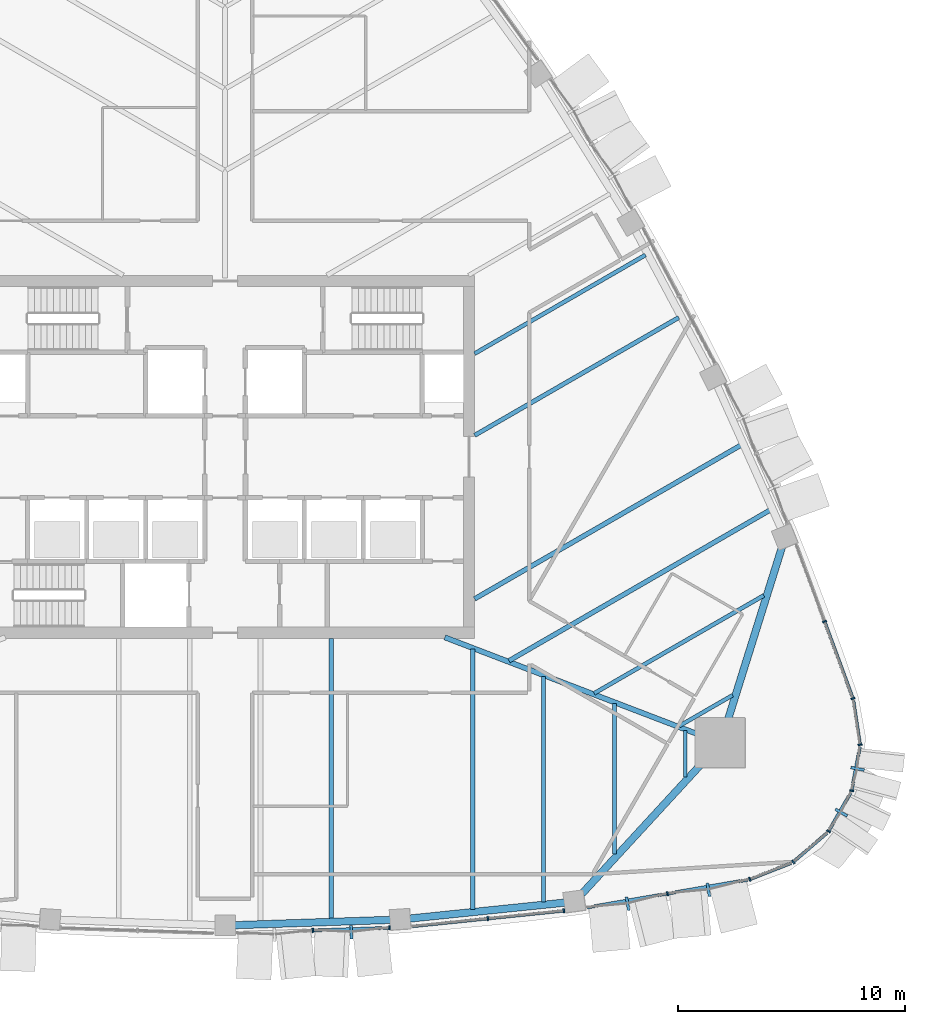
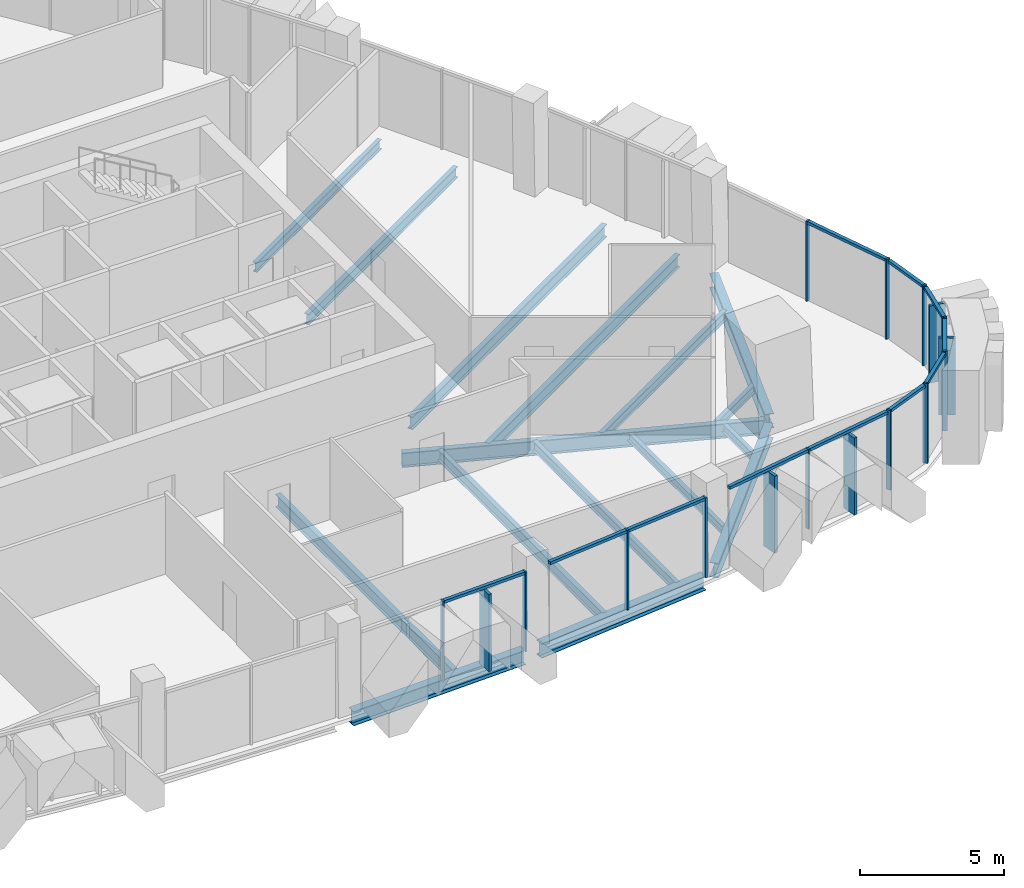
# One storey, part 4 of 18: 28 members, 16 beams, 9 elements without a shape of their own.
"""IFC4 building model written with IfcOpenShell, lengths in metres."""

from ifc_helpers import new_model, si_unit, direction, frame, origin, origin_2d, place, context, subcontext, project, spatial, rectangle, i_section, extrude, material, layer, layer_set, material_profile, profile_set, type_object, element, aggregate, save


model = new_model("IFC4")

# Units and contexts
model_context = context("Model", 3, precision=1e-05, world=origin(), true_north=direction((0.0, 1.0)))
body_context = subcontext(model_context, "Body", "Model", "MODEL_VIEW")
ifc_project = project(units=[si_unit("LENGTHUNIT", "METRE"), si_unit("AREAUNIT", "SQUARE_METRE"), si_unit("VOLUMEUNIT", "CUBIC_METRE"), si_unit("PLANEANGLEUNIT", "RADIAN"), si_unit("MASSUNIT", "GRAM", prefix="KILO")], contexts=[model_context])

# Site, building, storey
site_placement = place(None, origin())
site = spatial("IfcSite", under=ifc_project, at=site_placement, CompositionType="ELEMENT")
building_placement = place(site_placement, origin())
building = spatial("IfcBuilding", under=site, at=building_placement, Name="Sierra Prisma Convention Tower", CompositionType="ELEMENT")
storey_placement = place(building_placement, frame((0.0, 0.0, 247.0)))
storey = spatial("IfcBuildingStorey", under=building, at=storey_placement, Name="L55", CompositionType="ELEMENT", Elevation=247.0)

# Curtain wall, member
ifc_material_1 = material(Name="Aluminium and glass curtain wall", Category="aluminium")
ifc_layer_1 = layer(ifc_material_1, 0.179931640625)
ifc_layer_set_1 = layer_set([ifc_layer_1], Name="CW-2 Faceted crystal curtain wall")
curtain_wall_type_1 = type_object("IfcCurtainWallType", Name="CW-2 Faceted crystal curtain wall", PredefinedType="NOTDEFINED", material=ifc_layer_set_1)
curtain_wall_1_placement = place(storey_placement, origin())
curtain_wall_1 = element("IfcCurtainWall", 1, at=curtain_wall_1_placement, inside=storey, type_object=curtain_wall_type_1, Name="CW-2 S4 L55", PredefinedType="NOTDEFINED")
ifc_material_2 = material(Name="Aluminium 6063-T6 bronze anodised", Category="aluminium")
ifc_material_profile_1 = material_profile(ifc_material_2, rectangle(XDim=0.1201171875, YDim=0.60009765625, at=origin_2d()), Name="ALU RIDGE BLADE 120x600")
ifc_profile_set_1 = profile_set([ifc_material_profile_1], Name="Aluminium 6063-T6 bronze anodised")
member_type_1 = type_object("IfcMemberType", Name="CW hip bronze", PredefinedType="MULLION", material=ifc_profile_set_1)
member_1_placement = place(storey_placement, frame((5.5634765625, -20.950439453125, 0.0), z_axis=(0.0, 0.0, 1.0), x_axis=(0.999416362633, 0.034160417179, 0.0)))
member_1 = element("IfcMember", 2, at=member_1_placement, type_object=member_type_1, Name="CW-2 ridge S4.2", PredefinedType="MULLION", context=body_context, shape_type="SweptSolid", body=[
    extrude(rectangle(XDim=0.1201171875, YDim=0.60009765625, at=origin_2d()), origin(), (0.0, 0.0, 1.0), 3.280029296875),
])

# Curtain wall, members
curtain_wall_2_placement = place(storey_placement, origin())
curtain_wall_2 = element("IfcCurtainWall", 3, at=curtain_wall_2_placement, inside=storey, type_object=curtain_wall_type_1, Name="CW-2 S6 L55", PredefinedType="NOTDEFINED")
member_2_placement = place(storey_placement, frame((17.7421875, -19.69970703125, 0.0), z_axis=(0.0, 0.0, 1.0), x_axis=(0.985443101257, 0.170005571044, 0.0)))
member_2 = element("IfcMember", 4, at=member_2_placement, type_object=member_type_1, Name="CW-2 ridge S6.1", PredefinedType="MULLION", context=body_context, shape_type="SweptSolid", body=[
    extrude(rectangle(XDim=0.1201171875, YDim=0.60009765625, at=origin_2d()), origin(), (0.0, 0.0, 1.0), 3.280029296875),
])
member_3_placement = place(storey_placement, frame((21.3056640625, -19.0849609375, 0.0), z_axis=(0.0, 0.0, 1.0), x_axis=(0.985443101257, 0.170005571044, 0.0)))
member_3 = element("IfcMember", 5, at=member_3_placement, type_object=member_type_1, Name="CW-2 ridge S6.2", PredefinedType="MULLION", context=body_context, shape_type="SweptSolid", body=[
    extrude(rectangle(XDim=0.1201171875, YDim=0.60009765625, at=origin_2d()), origin(), (0.0, 0.0, 1.0), 3.280029296875),
])

# Curtain wall, member
curtain_wall_3_placement = place(storey_placement, origin())
curtain_wall_3 = element("IfcCurtainWall", 6, at=curtain_wall_3_placement, inside=storey, type_object=curtain_wall_type_1, Name="CW-2 SE3 L55", PredefinedType="NOTDEFINED")
member_4_placement = place(storey_placement, frame((27.162353515625, -15.68212890625, 0.0), z_axis=(0.0, 0.0, 1.0), x_axis=(0.5, 0.866025403784, 0.0)))
member_4 = element("IfcMember", 7, at=member_4_placement, type_object=member_type_1, Name="CW-2 ridge SE3.1", PredefinedType="MULLION", context=body_context, shape_type="SweptSolid", body=[
    extrude(rectangle(XDim=0.1201171875, YDim=0.60009765625, at=origin_2d()), origin(), (0.0, 0.0, 1.0), 3.280029296875),
])

curtain_wall_4_placement = place(storey_placement, origin())
curtain_wall_4 = element("IfcCurtainWall", 8, at=curtain_wall_4_placement, inside=storey, type_object=curtain_wall_type_1, Name="CW-2 SE4 L55", PredefinedType="NOTDEFINED")
member_5_placement = place(storey_placement, frame((27.8779296875, -13.75244140625, 0.0), z_axis=(0.0, 0.0, 1.0), x_axis=(0.185637608513, 0.982618277006, 0.0)))
member_5 = element("IfcMember", 9, at=member_5_placement, type_object=member_type_1, Name="CW-2 ridge SE4.1", PredefinedType="MULLION", context=body_context, shape_type="SweptSolid", body=[
    extrude(rectangle(XDim=0.1201171875, YDim=0.60009765625, at=origin_2d()), origin(), (0.0, 0.0, 1.0), 3.280029296875),
])

# Member
ifc_material_3 = material(Name="Aluminium 6063-T6 bronze anodised", Category="aluminium")
ifc_material_profile_2 = material_profile(ifc_material_3, rectangle(XDim=0.179931640625, YDim=0.070068359375, at=origin_2d()), Name="ALU MULLION 70x180")
ifc_profile_set_2 = profile_set([ifc_material_profile_2], Name="Aluminium 6063-T6 bronze anodised")
member_type_2 = type_object("IfcMemberType", Name="CW mullion bronze", PredefinedType="MULLION", material=ifc_profile_set_2)
member_6_placement = place(storey_placement, frame((3.86767578125, -20.877685546875, 0.0), z_axis=(0.0, 0.0, 1.0), x_axis=(-0.034160417179, 0.999416362633, 0.0)))
member_6 = element("IfcMember", 10, at=member_6_placement, type_object=member_type_2, Name="CW-1 mullion S4.2", PredefinedType="MULLION", context=body_context, shape_type="SweptSolid", body=[
    extrude(rectangle(XDim=0.179931640625, YDim=0.070068359375, at=origin_2d()), origin(), (0.0, 0.0, 1.0), 3.39990234375),
])

member_7_placement = place(storey_placement, frame((7.25048828125, -20.76220703125, 0.0), z_axis=(0.0, 0.0, 1.0), x_axis=(-0.034160417179, 0.999416362633, 0.0)))
member_7 = element("IfcMember", 11, at=member_7_placement, type_object=member_type_2, Name="CW-1 mullion S4.3", PredefinedType="MULLION", context=body_context, shape_type="SweptSolid", body=[
    extrude(rectangle(XDim=0.179931640625, YDim=0.070068359375, at=origin_2d()), origin(), (0.0, 0.0, 1.0), 3.39990234375),
])

# Curtain wall, members
ifc_material_4 = material(Name="Aluminium and glass curtain wall", Category="aluminium")
ifc_layer_2 = layer(ifc_material_4, 0.179931640625)
ifc_layer_set_2 = layer_set([ifc_layer_2], Name="CW-1 Plain shaft curtain wall")
curtain_wall_type_2 = type_object("IfcCurtainWallType", Name="CW-1 Plain shaft curtain wall", PredefinedType="NOTDEFINED", material=ifc_layer_set_2)
curtain_wall_5_placement = place(storey_placement, origin())
curtain_wall_5 = element("IfcCurtainWall", 12, at=curtain_wall_5_placement, inside=storey, type_object=curtain_wall_type_2, Name="CW-1 S5 L55", PredefinedType="NOTDEFINED")
member_8_placement = place(storey_placement, frame((11.581298828125, -20.350830078125, 0.0), z_axis=(0.0, 0.0, 1.0), x_axis=(-0.102321799698, 0.994751350492, 0.0)))
member_8 = element("IfcMember", 13, at=member_8_placement, type_object=member_type_2, Name="CW-1 mullion S5.2", PredefinedType="MULLION", context=body_context, shape_type="SweptSolid", body=[
    extrude(rectangle(XDim=0.179931640625, YDim=0.070068359375, at=origin_2d()), origin(), (0.0, 0.0, 1.0), 3.39990234375),
])
member_9_placement = place(storey_placement, frame((14.9326171875, -20.006103515625, 0.0), z_axis=(0.0, 0.0, 1.0), x_axis=(-0.102321799698, 0.994751350492, 0.0)))
member_9 = element("IfcMember", 14, at=member_9_placement, type_object=member_type_2, Name="CW-1 mullion S5.3", PredefinedType="MULLION", context=body_context, shape_type="SweptSolid", body=[
    extrude(rectangle(XDim=0.179931640625, YDim=0.070068359375, at=origin_2d()), origin(), (0.0, 0.0, 1.0), 3.39990234375),
])

# Member
member_10_placement = place(storey_placement, frame((19.500244140625, -19.2548828125, 0.0), z_axis=(0.0, 0.0, 1.0), x_axis=(-0.170005571044, 0.985443101257, 0.0)))
member_10 = element("IfcMember", 15, at=member_10_placement, type_object=member_type_2, Name="CW-1 mullion S6.2", PredefinedType="MULLION", context=body_context, shape_type="SweptSolid", body=[
    extrude(rectangle(XDim=0.179931640625, YDim=0.070068359375, at=origin_2d()), origin(), (0.0, 0.0, 1.0), 3.39990234375),
])

# Curtain wall, member
curtain_wall_6_placement = place(storey_placement, origin())
curtain_wall_6 = element("IfcCurtainWall", 16, at=curtain_wall_6_placement, inside=storey, type_object=curtain_wall_type_2, Name="CW-1 SE1 L55", PredefinedType="NOTDEFINED")
member_11_placement = place(storey_placement, frame((23.130615234375, -18.621337890625, 0.0), z_axis=(0.0, 0.0, 1.0), x_axis=(-0.36482181405, 0.931077356611, 0.0)))
member_11 = element("IfcMember", 17, at=member_11_placement, type_object=member_type_2, Name="CW-1 mullion SE1.1", PredefinedType="MULLION", context=body_context, shape_type="SweptSolid", body=[
    extrude(rectangle(XDim=0.179931640625, YDim=0.070068359375, at=origin_2d()), origin(), (0.0, 0.0, 1.0), 3.39990234375),
])

curtain_wall_7_placement = place(storey_placement, origin())
curtain_wall_7 = element("IfcCurtainWall", 18, at=curtain_wall_7_placement, inside=storey, type_object=curtain_wall_type_2, Name="CW-1 SE2 L55", PredefinedType="NOTDEFINED")
member_12_placement = place(storey_placement, frame((25.04443359375, -17.85888671875, 0.0), z_axis=(0.0, 0.0, 1.0), x_axis=(-0.652076023373, 0.758153585853, 0.0)))
member_12 = element("IfcMember", 19, at=member_12_placement, type_object=member_type_2, Name="CW-1 mullion SE2.1", PredefinedType="MULLION", context=body_context, shape_type="SweptSolid", body=[
    extrude(rectangle(XDim=0.179931640625, YDim=0.070068359375, at=origin_2d()), origin(), (0.0, 0.0, 1.0), 3.39990234375),
])

# Member
member_13_placement = place(storey_placement, frame((26.598876953125, -16.5068359375, 0.0), z_axis=(0.0, 0.0, 1.0), x_axis=(-0.866025403784, 0.5, 0.0)))
member_13 = element("IfcMember", 20, at=member_13_placement, type_object=member_type_2, Name="CW-1 mullion SE3.1", PredefinedType="MULLION", context=body_context, shape_type="SweptSolid", body=[
    extrude(rectangle(XDim=0.179931640625, YDim=0.070068359375, at=origin_2d()), origin(), (0.0, 0.0, 1.0), 3.39990234375),
])

member_14_placement = place(storey_placement, frame((27.618896484375, -14.717041015625, 0.0), z_axis=(0.0, 0.0, 1.0), x_axis=(-0.982618277006, 0.185637608513, 0.0)))
member_14 = element("IfcMember", 21, at=member_14_placement, type_object=member_type_2, Name="CW-1 mullion SE4.1", PredefinedType="MULLION", context=body_context, shape_type="SweptSolid", body=[
    extrude(rectangle(XDim=0.179931640625, YDim=0.070068359375, at=origin_2d()), origin(), (0.0, 0.0, 1.0), 3.39990234375),
])

# Curtain wall, member
curtain_wall_8_placement = place(storey_placement, origin())
curtain_wall_8 = element("IfcCurtainWall", 22, at=curtain_wall_8_placement, inside=storey, type_object=curtain_wall_type_2, Name="CW-1 SE5 L55", PredefinedType="NOTDEFINED")
member_15_placement = place(storey_placement, frame((27.989990234375, -12.690673828125, 0.0), z_axis=(0.0, 0.0, 1.0), x_axis=(-0.988747550738, -0.149593719484, 0.0)))
member_15 = element("IfcMember", 23, at=member_15_placement, type_object=member_type_2, Name="CW-1 mullion SE5.1", PredefinedType="MULLION", context=body_context, shape_type="SweptSolid", body=[
    extrude(rectangle(XDim=0.179931640625, YDim=0.070068359375, at=origin_2d()), origin(), (0.0, 0.0, 1.0), 3.39990234375),
])

# Curtain wall, members
curtain_wall_9_placement = place(storey_placement, origin())
curtain_wall_9 = element("IfcCurtainWall", 24, at=curtain_wall_9_placement, inside=storey, type_object=curtain_wall_type_2, Name="CW-1 NE1 L55", PredefinedType="NOTDEFINED")
member_16_placement = place(storey_placement, frame((27.674560546875, -10.653564453125, 0.0), z_axis=(0.0, 0.0, 1.0), x_axis=(-0.938421545194, -0.34549240732, 0.0)))
member_16 = element("IfcMember", 25, at=member_16_placement, type_object=member_type_2, Name="CW-1 mullion NE1.1", PredefinedType="MULLION", context=body_context, shape_type="SweptSolid", body=[
    extrude(rectangle(XDim=0.179931640625, YDim=0.070068359375, at=origin_2d()), origin(), (0.0, 0.0, 1.0), 3.39990234375),
])
member_17_placement = place(storey_placement, frame((26.42529296875, -7.26025390625, 0.0), z_axis=(0.0, 0.0, 1.0), x_axis=(-0.938421545194, -0.34549240732, 0.0)))
member_17 = element("IfcMember", 26, at=member_17_placement, type_object=member_type_2, Name="CW-1 mullion NE1.2", PredefinedType="MULLION", context=body_context, shape_type="SweptSolid", body=[
    extrude(rectangle(XDim=0.179931640625, YDim=0.070068359375, at=origin_2d()), origin(), (0.0, 0.0, 1.0), 3.39990234375),
])

# Member
ifc_material_5 = material(Name="Aluminium 6063-T6 bronze anodised", Category="aluminium")
ifc_material_profile_3 = material_profile(ifc_material_5, rectangle(XDim=0.139892578125, YDim=0.1201171875, at=origin_2d()), Name="ALU TRANSOM 120x140")
ifc_profile_set_3 = profile_set([ifc_material_profile_3], Name="Aluminium 6063-T6 bronze anodised")
member_type_3 = type_object("IfcMemberType", Name="CW transom bronze", PredefinedType="USERDEFINED", material=ifc_profile_set_3)
member_18_placement = place(storey_placement, frame((3.902587890625, -20.876708984375, 3.340087890625), z_axis=(0.999415928988, 0.034173101772, 0.0), x_axis=(-0.034173101772, 0.999415928988, 0.0)))
member_18 = element("IfcMember", 27, at=member_18_placement, type_object=member_type_3, Name="CW-1 transom S4.2", ObjectType="TRANSOM", PredefinedType="USERDEFINED", context=body_context, shape_type="SweptSolid", body=[
    extrude(rectangle(XDim=0.139892578125, YDim=0.1201171875, at=origin_2d()), origin(), (0.0, 0.0, 1.0), 3.31494140625),
])

aggregate(curtain_wall_1, [member_6, member_7, member_18, member_1])

member_19_placement = place(storey_placement, frame((8.264892578125, -20.69189453125, 3.340087890625), z_axis=(0.994755597513, 0.102280502624, 0.0), x_axis=(-0.102280502624, 0.994755597513, 0.0)))
member_19 = element("IfcMember", 28, at=member_19_placement, type_object=member_type_3, Name="CW-1 transom S5.1", ObjectType="TRANSOM", PredefinedType="USERDEFINED", context=body_context, shape_type="SweptSolid", body=[
    extrude(rectangle(XDim=0.139892578125, YDim=0.1201171875, at=origin_2d()), origin(), (0.0, 0.0, 1.0), 3.298828125),
])

member_20_placement = place(storey_placement, frame((11.6162109375, -20.34716796875, 3.340087890625), z_axis=(0.994755597513, 0.102280502624, 0.0), x_axis=(-0.102280502624, 0.994755597513, 0.0)))
member_20 = element("IfcMember", 29, at=member_20_placement, type_object=member_type_3, Name="CW-1 transom S5.2", ObjectType="TRANSOM", PredefinedType="USERDEFINED", context=body_context, shape_type="SweptSolid", body=[
    extrude(rectangle(XDim=0.139892578125, YDim=0.1201171875, at=origin_2d()), origin(), (0.0, 0.0, 1.0), 3.298828125),
])

aggregate(curtain_wall_5, [member_8, member_9, member_19, member_20])

member_21_placement = place(storey_placement, frame((15.97119140625, -19.863525390625, 3.340087890625), z_axis=(0.985447791005, 0.169978384518, 0.0), x_axis=(-0.169978384518, 0.985447791005, 0.0)))
member_21 = element("IfcMember", 30, at=member_21_placement, type_object=member_type_3, Name="CW-1 transom S6.1", ObjectType="TRANSOM", PredefinedType="USERDEFINED", context=body_context, shape_type="SweptSolid", body=[
    extrude(rectangle(XDim=0.139892578125, YDim=0.1201171875, at=origin_2d()), origin(), (0.0, 0.0, 1.0), 3.546142578125),
])

member_22_placement = place(storey_placement, frame((19.53466796875, -19.248779296875, 3.340087890625), z_axis=(0.985445801687, 0.169989917164, 0.0), x_axis=(-0.169989917164, 0.985445801687, 0.0)))
member_22 = element("IfcMember", 31, at=member_22_placement, type_object=member_type_3, Name="CW-1 transom S6.2", ObjectType="TRANSOM", PredefinedType="USERDEFINED", context=body_context, shape_type="SweptSolid", body=[
    extrude(rectangle(XDim=0.139892578125, YDim=0.1201171875, at=origin_2d()), origin(), (0.0, 0.0, 1.0), 3.5458984375),
])

aggregate(curtain_wall_2, [member_10, member_21, member_2, member_22, member_3])

member_23_placement = place(storey_placement, frame((23.163330078125, -18.608642578125, 3.340087890625), z_axis=(0.931081514664, 0.364811201926, 0.0), x_axis=(-0.364811201926, 0.931081514664, 0.0)))
member_23 = element("IfcMember", 32, at=member_23_placement, type_object=member_type_3, Name="CW-1 transom SE1.1", ObjectType="TRANSOM", PredefinedType="USERDEFINED", context=body_context, shape_type="SweptSolid", body=[
    extrude(rectangle(XDim=0.139892578125, YDim=0.1201171875, at=origin_2d()), origin(), (0.0, 0.0, 1.0), 1.922119140625),
])

aggregate(curtain_wall_6, [member_11, member_23])

member_24_placement = place(storey_placement, frame((25.071044921875, -17.836181640625, 3.340087890625), z_axis=(0.758143752564, 0.652087456134, 0.0), x_axis=(-0.652087456134, 0.758143752564, 0.0)))
member_24 = element("IfcMember", 33, at=member_24_placement, type_object=member_type_3, Name="CW-1 transom SE2.1", ObjectType="TRANSOM", PredefinedType="USERDEFINED", context=body_context, shape_type="SweptSolid", body=[
    extrude(rectangle(XDim=0.139892578125, YDim=0.1201171875, at=origin_2d()), origin(), (0.0, 0.0, 1.0), 1.922119140625),
])

aggregate(curtain_wall_7, [member_12, member_24])

member_25_placement = place(storey_placement, frame((26.6162109375, -16.4765625, 3.340087890625), z_axis=(0.500059619652, 0.865990979626, 0.0), x_axis=(-0.865990979626, 0.500059619652, 0.0)))
member_25 = element("IfcMember", 34, at=member_25_placement, type_object=member_type_3, Name="CW-1 transom SE3.1", ObjectType="TRANSOM", PredefinedType="USERDEFINED", context=body_context, shape_type="SweptSolid", body=[
    extrude(rectangle(XDim=0.139892578125, YDim=0.1201171875, at=origin_2d()), origin(), (0.0, 0.0, 1.0), 1.922119140625),
])

aggregate(curtain_wall_3, [member_13, member_25, member_4])

member_26_placement = place(storey_placement, frame((27.625244140625, -14.6826171875, 3.340087890625), z_axis=(0.185722616165, 0.982602213434, 0.0), x_axis=(-0.982602213434, 0.185722616165, 0.0)))
member_26 = element("IfcMember", 35, at=member_26_placement, type_object=member_type_3, Name="CW-1 transom SE4.1", ObjectType="TRANSOM", PredefinedType="USERDEFINED", context=body_context, shape_type="SweptSolid", body=[
    extrude(rectangle(XDim=0.139892578125, YDim=0.1201171875, at=origin_2d()), origin(), (0.0, 0.0, 1.0), 1.921875),
])

aggregate(curtain_wall_4, [member_14, member_26, member_5])

member_27_placement = place(storey_placement, frame((27.984619140625, -12.656005859375, 3.340087890625), z_axis=(-0.149632289272, 0.988741714508, 0.0), x_axis=(-0.988741714508, -0.149632289272, 0.0)))
member_27 = element("IfcMember", 36, at=member_27_placement, type_object=member_type_3, Name="CW-1 transom SE5.1", ObjectType="TRANSOM", PredefinedType="USERDEFINED", context=body_context, shape_type="SweptSolid", body=[
    extrude(rectangle(XDim=0.139892578125, YDim=0.1201171875, at=origin_2d()), origin(), (0.0, 0.0, 1.0), 1.922119140625),
])

aggregate(curtain_wall_8, [member_15, member_27])

member_28_placement = place(storey_placement, frame((27.662353515625, -10.620849609375, 3.340087890625), z_axis=(-0.345488388695, 0.938423024694, 0.0), x_axis=(-0.938423024694, -0.345488388695, 0.0)))
member_28 = element("IfcMember", 37, at=member_28_placement, type_object=member_type_3, Name="CW-1 transom NE1.1", ObjectType="TRANSOM", PredefinedType="USERDEFINED", context=body_context, shape_type="SweptSolid", body=[
    extrude(rectangle(XDim=0.139892578125, YDim=0.1201171875, at=origin_2d()), origin(), (0.0, 0.0, 1.0), 3.5458984375),
])

aggregate(curtain_wall_9, [member_16, member_17, member_28])

# Beams
ifc_material_6 = material(Name="Steel ASTM A992 Gr 50", Category="steel")
ifc_material_profile_4 = material_profile(ifc_material_6, i_section(OverallWidth=0.172119140625, OverallDepth=0.35791015625, WebThickness=0.0078125, FlangeThickness=0.01318359375, at=origin_2d()), Name="W360x57")
ifc_profile_set_4 = profile_set([ifc_material_profile_4], Name="Steel ASTM A992 Gr 50")
beam_type_1 = type_object("IfcBeamType", Name="Floor joist W360x57", PredefinedType="JOIST", material=ifc_profile_set_4)
beam_1_placement = place(storey_placement, frame((17.164794921875, -17.509765625, -0.3291015625), z_axis=(0.0, 1.0, 0.0), x_axis=(-1.0, 0.0, 0.0)))
element("IfcBeam", 38, at=beam_1_placement, inside=storey, type_object=beam_type_1, Name="Floor joist L55 S13", PredefinedType="JOIST", context=body_context, shape_type="SweptSolid", body=[
    extrude(i_section(OverallWidth=0.172119140625, OverallDepth=0.35791015625, WebThickness=0.0078125, FlangeThickness=0.01318359375, at=origin_2d()), origin(), (0.0, 0.0, 1.0), 6.640380859375),
])
beam_2_placement = place(storey_placement, frame((20.28564453125, -14.118408203125, -0.3291015625), z_axis=(0.0, 1.0, 0.0), x_axis=(-1.0, 0.0, 0.0)))
element("IfcBeam", 39, at=beam_2_placement, inside=storey, type_object=beam_type_1, Name="Floor joist L55 S14", PredefinedType="JOIST", context=body_context, shape_type="SweptSolid", body=[
    extrude(i_section(OverallWidth=0.172119140625, OverallDepth=0.35791015625, WebThickness=0.0078125, FlangeThickness=0.01318359375, at=origin_2d()), origin(), (0.0, 0.0, 1.0), 2.0537109375),
])
beam_3_placement = place(storey_placement, frame((22.369873046875, -10.5087890625, -0.3291015625), z_axis=(-0.866052178389, -0.499953622157, 0.0), x_axis=(0.499953622157, -0.866052178389, 0.0)))
element("IfcBeam", 40, at=beam_3_placement, inside=storey, type_object=beam_type_1, Name="Floor joist L55 NE01", PredefinedType="JOIST", context=body_context, shape_type="SweptSolid", body=[
    extrude(i_section(OverallWidth=0.172119140625, OverallDepth=0.35791015625, WebThickness=0.0078125, FlangeThickness=0.01318359375, at=origin_2d()), origin(), (0.0, 0.0, 1.0), 2.712158203125),
])
ifc_material_7 = material(Name="Steel ASTM A992 Gr 50", Category="steel")
ifc_material_profile_5 = material_profile(ifc_material_7, i_section(OverallWidth=0.177978515625, OverallDepth=0.406982421875, WebThickness=0.0078125, FlangeThickness=0.0126953125, at=origin_2d()), Name="W410x60")
ifc_profile_set_5 = profile_set([ifc_material_profile_5], Name="Steel ASTM A992 Gr 50")
beam_type_2 = type_object("IfcBeamType", Name="Floor joist W410x60", PredefinedType="JOIST", material=ifc_profile_set_5)
beam_4_placement = place(storey_placement, frame((14.0439453125, -19.632568359375, -0.353515625), z_axis=(0.0, 1.0, 0.0), x_axis=(-1.0, 0.0, 0.0)))
element("IfcBeam", 41, at=beam_4_placement, inside=storey, type_object=beam_type_2, Name="Floor joist L55 S12", PredefinedType="JOIST", context=body_context, shape_type="SweptSolid", body=[
    extrude(i_section(OverallWidth=0.177978515625, OverallDepth=0.406982421875, WebThickness=0.0078125, FlangeThickness=0.0126953125, at=origin_2d()), origin(), (0.0, 0.0, 1.0), 9.958251953125),
])
beam_5_placement = place(storey_placement, frame((23.746337890625, -6.1103515625, -0.353515625), z_axis=(-0.866028326714, -0.499994937304, 0.0), x_axis=(0.499994937304, -0.866028326714, 0.0)))
element("IfcBeam", 42, at=beam_5_placement, inside=storey, type_object=beam_type_2, Name="Floor joist L55 NE02", PredefinedType="JOIST", context=body_context, shape_type="SweptSolid", body=[
    extrude(i_section(OverallWidth=0.177978515625, OverallDepth=0.406982421875, WebThickness=0.0078125, FlangeThickness=0.0126953125, at=origin_2d()), origin(), (0.0, 0.0, 1.0), 8.634765625),
])
beam_6_placement = place(storey_placement, frame((18.528564453125, 8.895751953125, -0.353515625), z_axis=(-0.866022366652, -0.50000526043, 0.0), x_axis=(0.50000526043, -0.866022366652, 0.0)))
element("IfcBeam", 43, at=beam_6_placement, inside=storey, type_object=beam_type_2, Name="Floor joist L55 NE07", PredefinedType="JOIST", context=body_context, shape_type="SweptSolid", body=[
    extrude(i_section(OverallWidth=0.177978515625, OverallDepth=0.406982421875, WebThickness=0.0078125, FlangeThickness=0.0126953125, at=origin_2d()), origin(), (0.0, 0.0, 1.0), 8.693359375),
])
ifc_material_8 = material(Name="Steel ASTM A992 Gr 50", Category="steel")
ifc_material_profile_6 = material_profile(ifc_material_8, i_section(OverallWidth=0.18994140625, OverallDepth=0.45703125, WebThickness=0.009033203125, FlangeThickness=0.014404296875, at=origin_2d()), Name="W460x74")
ifc_profile_set_6 = profile_set([ifc_material_profile_6], Name="Steel ASTM A992 Gr 50")
beam_type_3 = type_object("IfcBeamType", Name="Floor joist W460x74", PredefinedType="JOIST", material=ifc_profile_set_6)
beam_7_placement = place(storey_placement, frame((10.923095703125, -19.95361328125, -0.37841796875), z_axis=(0.0, 1.0, 0.0), x_axis=(-1.0, 0.0, 0.0)))
element("IfcBeam", 44, at=beam_7_placement, inside=storey, type_object=beam_type_3, Name="Floor joist L55 S11", PredefinedType="JOIST", context=body_context, shape_type="SweptSolid", body=[
    extrude(i_section(OverallWidth=0.18994140625, OverallDepth=0.45703125, WebThickness=0.009033203125, FlangeThickness=0.014404296875, at=origin_2d()), origin(), (0.0, 0.0, 1.0), 11.474365234375),
])
beam_8_placement = place(storey_placement, frame((19.99658203125, 6.1396484375, -0.37841796875), z_axis=(-0.866018864611, -0.50001132601, 0.0), x_axis=(0.50001132601, -0.866018864611, 0.0)))
element("IfcBeam", 45, at=beam_8_placement, inside=storey, type_object=beam_type_3, Name="Floor joist L55 NE06", PredefinedType="JOIST", context=body_context, shape_type="SweptSolid", body=[
    extrude(i_section(OverallWidth=0.18994140625, OverallDepth=0.45703125, WebThickness=0.009033203125, FlangeThickness=0.014404296875, at=origin_2d()), origin(), (0.0, 0.0, 1.0), 10.388427734375),
])
ifc_material_9 = material(Name="Steel ASTM A992 Gr 50", Category="steel")
ifc_material_profile_7 = material_profile(ifc_material_9, i_section(OverallWidth=0.208984375, OverallDepth=0.532958984375, WebThickness=0.01025390625, FlangeThickness=0.015625, at=origin_2d()), Name="W530x92")
ifc_profile_set_7 = profile_set([ifc_material_profile_7], Name="Steel ASTM A992 Gr 50")
beam_type_4 = type_object("IfcBeamType", Name="Floor joist W530x92", PredefinedType="JOIST", material=ifc_profile_set_7)
beam_9_placement = place(storey_placement, frame((4.681396484375, -20.387451171875, -0.41650390625), z_axis=(0.0, 1.0, 0.0), x_axis=(-1.0, 0.0, 0.0)))
element("IfcBeam", 46, at=beam_9_placement, inside=storey, type_object=beam_type_4, Name="Floor joist L55 S09", PredefinedType="JOIST", context=body_context, shape_type="SweptSolid", body=[
    extrude(i_section(OverallWidth=0.208984375, OverallDepth=0.532958984375, WebThickness=0.01025390625, FlangeThickness=0.015625, at=origin_2d()), origin(), (0.0, 0.0, 1.0), 12.387451171875),
])
beam_10_placement = place(storey_placement, frame((24.024169921875, -2.34619140625, -0.41650390625), z_axis=(-0.866023131295, -0.500003936047, 0.0), x_axis=(0.500003936047, -0.866023131295, 0.0)))
element("IfcBeam", 47, at=beam_10_placement, inside=storey, type_object=beam_type_4, Name="Floor joist L55 NE03", PredefinedType="JOIST", context=body_context, shape_type="SweptSolid", body=[
    extrude(i_section(OverallWidth=0.208984375, OverallDepth=0.532958984375, WebThickness=0.01025390625, FlangeThickness=0.015625, at=origin_2d()), origin(), (0.0, 0.0, 1.0), 13.2890625),
])
beam_11_placement = place(storey_placement, frame((22.74169921875, 0.51708984375, -0.41650390625), z_axis=(-0.866026057554, -0.499998867636, 0.0), x_axis=(0.499998867636, -0.866026057554, 0.0)))
element("IfcBeam", 48, at=beam_11_placement, inside=storey, type_object=beam_type_4, Name="Floor joist L55 NE04", PredefinedType="JOIST", context=body_context, shape_type="SweptSolid", body=[
    extrude(i_section(OverallWidth=0.208984375, OverallDepth=0.532958984375, WebThickness=0.01025390625, FlangeThickness=0.015625, at=origin_2d()), origin(), (0.0, 0.0, 1.0), 13.55810546875),
])
ifc_material_10 = material(Name="Steel ASTM A992 Gr 50", Category="steel")
ifc_material_profile_8 = material_profile(ifc_material_10, i_section(OverallWidth=0.22998046875, OverallDepth=0.616943359375, WebThickness=0.01318359375, FlangeThickness=0.022216796875, at=origin_2d()), Name="W610x140")
ifc_profile_set_8 = profile_set([ifc_material_profile_8], Name="Steel ASTM A992 Gr 50")
beam_type_5 = type_object("IfcBeamType", Name="Radial girder W610x140", PredefinedType="BEAM", material=ifc_profile_set_8)
beam_12_placement = place(storey_placement, frame((21.626220703125, -12.528564453125, -0.45849609375), z_axis=(-0.933871272314, 0.357609349355, 0.0), x_axis=(-0.357609349355, -0.933871272314, 0.0)))
element("IfcBeam", 49, at=beam_12_placement, inside=storey, type_object=beam_type_5, Name="Radial girder L55 SE", PredefinedType="BEAM", context=body_context, shape_type="SweptSolid", body=[
    extrude(i_section(OverallWidth=0.22998046875, OverallDepth=0.616943359375, WebThickness=0.01318359375, FlangeThickness=0.022216796875, at=origin_2d()), origin(), (0.0, 0.0, 1.0), 12.78369140625),
])
ifc_material_11 = material(Name="Steel ASTM A992 Gr 50", Category="steel")
ifc_material_profile_9 = material_profile(ifc_material_11, i_section(OverallWidth=0.324951171875, OverallDepth=0.615966796875, WebThickness=0.013916015625, FlangeThickness=0.021484375, at=origin_2d()), Name="W610x174")
ifc_profile_set_9 = profile_set([ifc_material_profile_9], Name="Steel ASTM A992 Gr 50")
beam_type_6 = type_object("IfcBeamType", Name="Spandrel beam W610x174", PredefinedType="BEAM", material=ifc_profile_set_9)
for number, where, z_axis, x_axis, name in (
    (50, (0.330078125, -20.648681640625, -0.4580078125), (0.999416252186, 0.034163648328, 0.0), (-0.034163648328, 0.999416252186, 0.0), "Spandrel L55-04"),
    (51, (8.05224609375, -20.3623046875, -0.4580078125), (0.994748213517, 0.102352292136, 0.0), (-0.102352292136, 0.994748213517, 0.0), "Spandrel L55-05"),
):
    element("IfcBeam", number, at=place(storey_placement, frame(where, z_axis=z_axis, x_axis=x_axis)), inside=storey, type_object=beam_type_6, Name=name, PredefinedType="BEAM", context=body_context, shape_type="SweptSolid", body=[
        extrude(i_section(OverallWidth=0.324951171875, OverallDepth=0.615966796875, WebThickness=0.013916015625, FlangeThickness=0.021484375, at=origin_2d()), origin(), (0.0, 0.0, 1.0), 7.067626953125),
    ])
beam_13_placement = place(storey_placement, frame((15.72509765625, -19.26416015625, -0.4580078125), z_axis=(0.677153951824, 0.735841372531, 0.0), x_axis=(-0.735841372531, 0.677153951824, 0.0)))
element("IfcBeam", 52, at=beam_13_placement, inside=storey, type_object=beam_type_6, Name="Spandrel L55-06", PredefinedType="BEAM", context=body_context, shape_type="SweptSolid", body=[
    extrude(i_section(OverallWidth=0.324951171875, OverallDepth=0.615966796875, WebThickness=0.013916015625, FlangeThickness=0.021484375, at=origin_2d()), origin(), (0.0, 0.0, 1.0), 8.740234375),
])
beam_14_placement = place(storey_placement, frame((21.9150390625, -12.392822265625, -0.4580078125), z_axis=(0.298645839775, 0.954364009372, 0.0), x_axis=(-0.954364009372, 0.298645839775, 0.0)))
element("IfcBeam", 53, at=beam_14_placement, inside=storey, type_object=beam_type_6, Name="Spandrel L55-07", PredefinedType="BEAM", context=body_context, shape_type="SweptSolid", body=[
    extrude(i_section(OverallWidth=0.324951171875, OverallDepth=0.615966796875, WebThickness=0.013916015625, FlangeThickness=0.021484375, at=origin_2d()), origin(), (0.0, 0.0, 1.0), 8.80859375),
])

save(model, "model.ifc")
